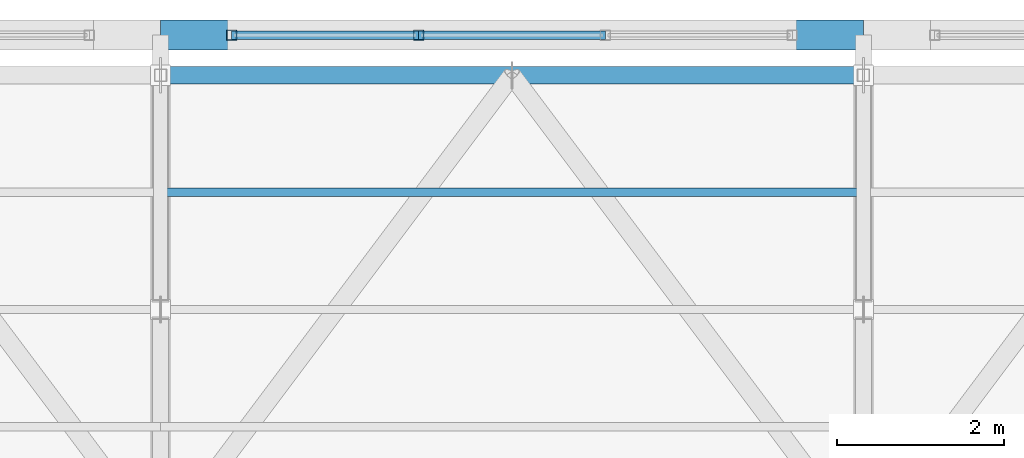
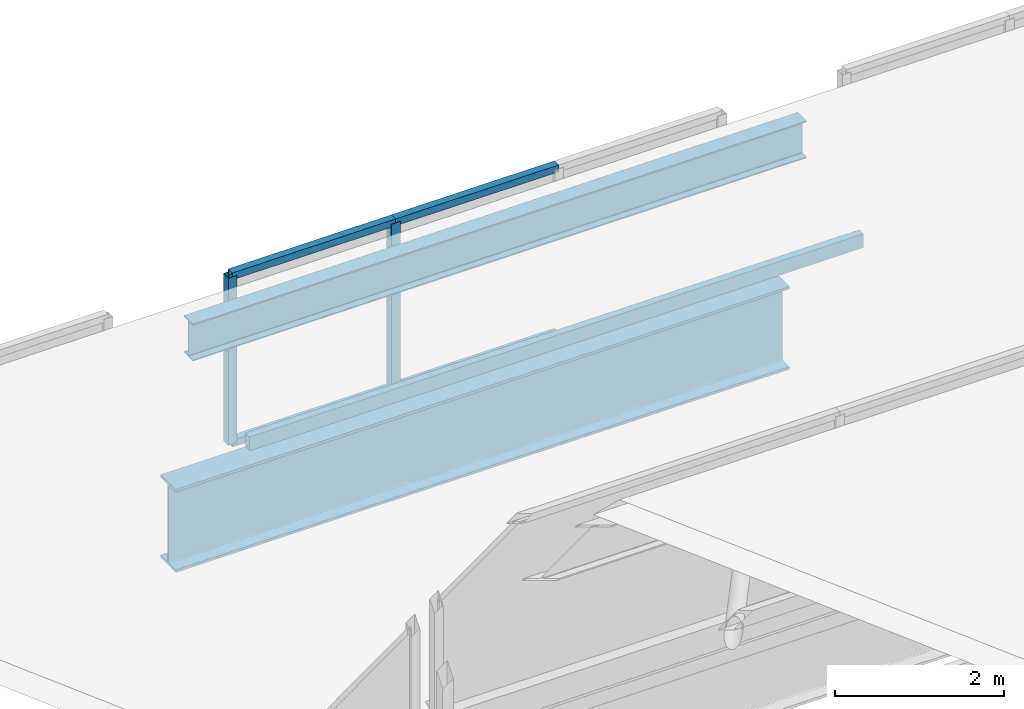
# One storey, part 118 of 217: 8 members, 1 beam, 1 element without a shape of its own.
"""IFC4 building model written with IfcOpenShell, lengths in metres."""

from ifc_helpers import new_model, si_unit, direction, frame, origin, origin_2d, place, context, subcontext, project, spatial, hollow_rectangle, i_section, extrude, material, material_profile, profile_set, type_object, element, aggregate, save


model = new_model("IFC4")

# Units and contexts
model_context = context("Model", 3, precision=1e-05, world=origin(), true_north=direction((0.0, 1.0)))
body_context = subcontext(model_context, "Body", "Model", "MODEL_VIEW")
ifc_project = project(units=[si_unit("LENGTHUNIT", "METRE"), si_unit("AREAUNIT", "SQUARE_METRE"), si_unit("VOLUMEUNIT", "CUBIC_METRE"), si_unit("PLANEANGLEUNIT", "RADIAN"), si_unit("MASSUNIT", "GRAM", prefix="KILO")], contexts=[model_context])

# Site, building, storey
site_placement = place(None, origin())
site = spatial("IfcSite", under=ifc_project, at=site_placement, CompositionType="ELEMENT")
building_placement = place(site_placement, origin())
building = spatial("IfcBuilding", under=site, at=building_placement, Name="Zuvorla Pavilion Media Centre", CompositionType="ELEMENT")
storey_placement = place(building_placement, frame((0.0, 0.0, 9.60009765625)))
storey = spatial("IfcBuildingStorey", under=building, at=storey_placement, Name="L02", CompositionType="ELEMENT", Elevation=9.60009765625)

# Beam
ifc_material_1 = material(Name="Steel S355", Category="steel")
ifc_material_profile_1 = material_profile(ifc_material_1, i_section(OverallWidth=0.360107421875, OverallDepth=1.199951171875, WebThickness=0.02001953125, FlangeThickness=0.0380859375, FilletRadius=0.02392578125, at=origin_2d()), Name="PG 1200x360x38")
ifc_profile_set_1 = profile_set([ifc_material_profile_1], Name="Steel S355")
beam_type = type_object("IfcBeamType", Name="BM-PG1200", PredefinedType="BEAM", material=ifc_profile_set_1)
beam_placement = place(storey_placement, frame((100.39990234375, 120.0, -0.88818359375), z_axis=(1.0, 0.0, 0.0), x_axis=(0.0, 1.0, 0.0)))
element("IfcBeam", 1, at=beam_placement, inside=storey, type_object=beam_type, Name="L02 beam B01 1811", PredefinedType="BEAM", context=body_context, shape_type="SweptSolid", body=[
    extrude(i_section(OverallWidth=0.360107421875, OverallDepth=1.199951171875, WebThickness=0.02001953125, FlangeThickness=0.0380859375, FilletRadius=0.02392578125, at=origin_2d()), origin(), (0.0, 0.0, 1.0), 8.400146484375),
])

# Curtain wall, members
ifc_material_2 = material(Name="Unitised anodised aluminium and solar glass curtain wall", Category="aluminium")
curtain_wall_type = type_object("IfcCurtainWallType", Name="CW-SYS-89", PredefinedType="USERDEFINED", material=ifc_material_2)
curtain_wall_placement = place(storey_placement, origin())
curtain_wall = element("IfcCurtainWall", 2, at=curtain_wall_placement, inside=storey, type_object=curtain_wall_type, Name="L02 curtain wall CW89 220", ObjectType="CURTAIN WALL", PredefinedType="USERDEFINED")
ifc_material_3 = material(Name="Anodised aluminium 6063-T6", Category="aluminium")
ifc_material_profile_2 = material_profile(ifc_material_3, hollow_rectangle(XDim=0.1201171875, YDim=0.1201171875, WallThickness=0.0048828125, at=origin_2d()), Name="ALU MULL 120x120")
ifc_profile_set_2 = profile_set([ifc_material_profile_2], Name="Anodised aluminium 6063-T6")
member_type_1 = type_object("IfcMemberType", Name="CW-MULL-120", PredefinedType="MULLION", material=ifc_profile_set_2)
member_1_placement = place(storey_placement, frame((101.250244140625, 120.0, 0.0), z_axis=(0.0, 0.0, 1.0), x_axis=(1.0, 0.0, 0.0)))
member_1 = element("IfcMember", 3, at=member_1_placement, type_object=member_type_1, Name="CW89 mullion 1", PredefinedType="MULLION", context=body_context, shape_type="SweptSolid", body=[
    extrude(hollow_rectangle(XDim=0.1201171875, YDim=0.1201171875, WallThickness=0.0048828125, at=origin_2d()), origin(), (0.0, 0.0, 1.0), 2.419921875),
])
member_2_placement = place(storey_placement, frame((103.4833984375, 120.0, 0.0), z_axis=(0.0, 0.0, 1.0), x_axis=(1.0, 0.0, 0.0)))
member_2 = element("IfcMember", 4, at=member_2_placement, type_object=member_type_1, Name="CW89 mullion 2", PredefinedType="MULLION", context=body_context, shape_type="SweptSolid", body=[
    extrude(hollow_rectangle(XDim=0.1201171875, YDim=0.1201171875, WallThickness=0.0048828125, at=origin_2d()), origin(), (0.0, 0.0, 1.0), 2.419921875),
])
ifc_material_profile_3 = material_profile(ifc_material_3, hollow_rectangle(XDim=0.10009765625, YDim=0.10009765625, WallThickness=0.00439453125, at=origin_2d()), Name="ALU TRAN 100x100")
ifc_profile_set_3 = profile_set([ifc_material_profile_3], Name="Anodised aluminium 6063-T6")
member_type_2 = type_object("IfcMemberType", Name="CW-TRAN-100", PredefinedType="USERDEFINED", material=ifc_profile_set_3)
member_3_placement = place(storey_placement, frame((101.250244140625, 120.0, 0.0), z_axis=(1.0, 0.0, 0.0), x_axis=(0.0, 1.0, 0.0)))
member_3 = element("IfcMember", 5, at=member_3_placement, type_object=member_type_2, Name="CW89 transom 1.1", ObjectType="TRANSOM", PredefinedType="USERDEFINED", context=body_context, shape_type="SweptSolid", body=[
    extrude(hollow_rectangle(XDim=0.10009765625, YDim=0.10009765625, WallThickness=0.00439453125, at=origin_2d()), origin(), (0.0, 0.0, 1.0), 2.233154296875),
])
member_4_placement = place(storey_placement, frame((101.250244140625, 120.0, 2.419921875), z_axis=(1.0, 0.0, 0.0), x_axis=(0.0, 1.0, 0.0)))
member_4 = element("IfcMember", 6, at=member_4_placement, type_object=member_type_2, Name="CW89 transom 1.2", ObjectType="TRANSOM", PredefinedType="USERDEFINED", context=body_context, shape_type="SweptSolid", body=[
    extrude(hollow_rectangle(XDim=0.10009765625, YDim=0.10009765625, WallThickness=0.00439453125, at=origin_2d()), origin(), (0.0, 0.0, 1.0), 2.233154296875),
])
member_5_placement = place(storey_placement, frame((103.4833984375, 120.0, 0.0), z_axis=(1.0, 0.0, 0.0), x_axis=(0.0, 1.0, 0.0)))
member_5 = element("IfcMember", 7, at=member_5_placement, type_object=member_type_2, Name="CW89 transom 2.1", ObjectType="TRANSOM", PredefinedType="USERDEFINED", context=body_context, shape_type="SweptSolid", body=[
    extrude(hollow_rectangle(XDim=0.10009765625, YDim=0.10009765625, WallThickness=0.00439453125, at=origin_2d()), origin(), (0.0, 0.0, 1.0), 2.233154296875),
])
member_6_placement = place(storey_placement, frame((103.4833984375, 120.0, 2.419921875), z_axis=(1.0, 0.0, 0.0), x_axis=(0.0, 1.0, 0.0)))
member_6 = element("IfcMember", 8, at=member_6_placement, type_object=member_type_2, Name="CW89 transom 2.2", ObjectType="TRANSOM", PredefinedType="USERDEFINED", context=body_context, shape_type="SweptSolid", body=[
    extrude(hollow_rectangle(XDim=0.10009765625, YDim=0.10009765625, WallThickness=0.00439453125, at=origin_2d()), origin(), (0.0, 0.0, 1.0), 2.233154296875),
])
aggregate(curtain_wall, [member_1, member_2, member_3, member_4, member_5, member_6])

# Members
ifc_material_profile_4 = material_profile(ifc_material_1, i_section(OverallWidth=0.2099609375, OverallDepth=0.53662109375, WebThickness=0.0107421875, FlangeThickness=0.017333984375, FilletRadius=0.0126953125, at=origin_2d()), Name="UB 533x210x101")
ifc_profile_set_4 = profile_set([ifc_material_profile_4], Name="Steel S355")
member_type_3 = type_object("IfcMemberType", Name="MEM-CHD-UB533", PredefinedType="CHORD", material=ifc_profile_set_4)
member_7_placement = place(storey_placement, frame((100.39990234375, 119.52001953125, 2.08349609375), z_axis=(1.0, 0.0, 0.0), x_axis=(0.0, 1.0, 0.0)))
element("IfcMember", 9, at=member_7_placement, inside=storey, type_object=member_type_3, Name="L02 chord TC02 474", PredefinedType="CHORD", context=body_context, shape_type="SweptSolid", body=[
    extrude(i_section(OverallWidth=0.2099609375, OverallDepth=0.53662109375, WebThickness=0.0107421875, FlangeThickness=0.017333984375, FilletRadius=0.0126953125, at=origin_2d()), origin(), (0.0, 0.0, 1.0), 8.400146484375),
])
ifc_material_profile_5 = material_profile(ifc_material_1, hollow_rectangle(XDim=0.10009765625, YDim=0.199951171875, WallThickness=0.008056640625, at=origin_2d()), Name="RHS 200x100x8")
ifc_profile_set_5 = profile_set([ifc_material_profile_5], Name="Steel S355")
member_type_4 = type_object("IfcMemberType", Name="MEM-PUR-RHS200", PredefinedType="PURLIN", material=ifc_profile_set_5)
member_8_placement = place(storey_placement, frame((100.39990234375, 118.1201171875, 1.43359375), z_axis=(1.0, 0.0, 0.0), x_axis=(0.0, 1.0, 0.0)))
element("IfcMember", 10, at=member_8_placement, inside=storey, type_object=member_type_4, Name="L02 purlin PR01 479", PredefinedType="PURLIN", context=body_context, shape_type="SweptSolid", body=[
    extrude(hollow_rectangle(XDim=0.10009765625, YDim=0.199951171875, WallThickness=0.008056640625, at=origin_2d()), origin(), (0.0, 0.0, 1.0), 8.400146484375),
])

save(model, "model.ifc")
